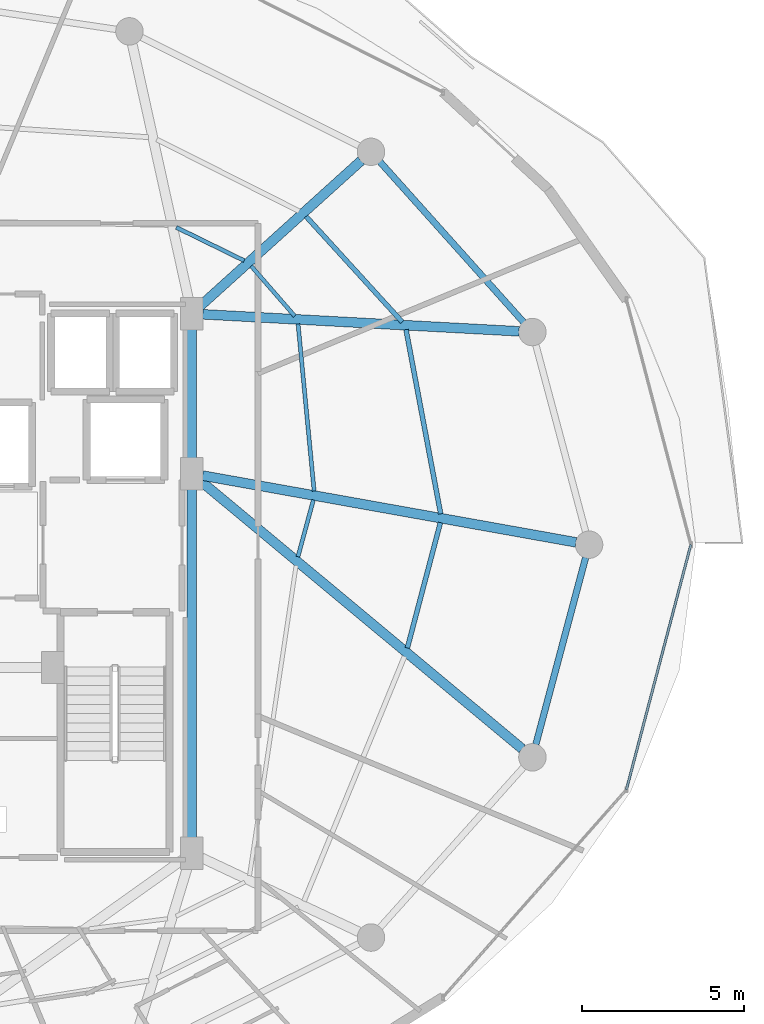
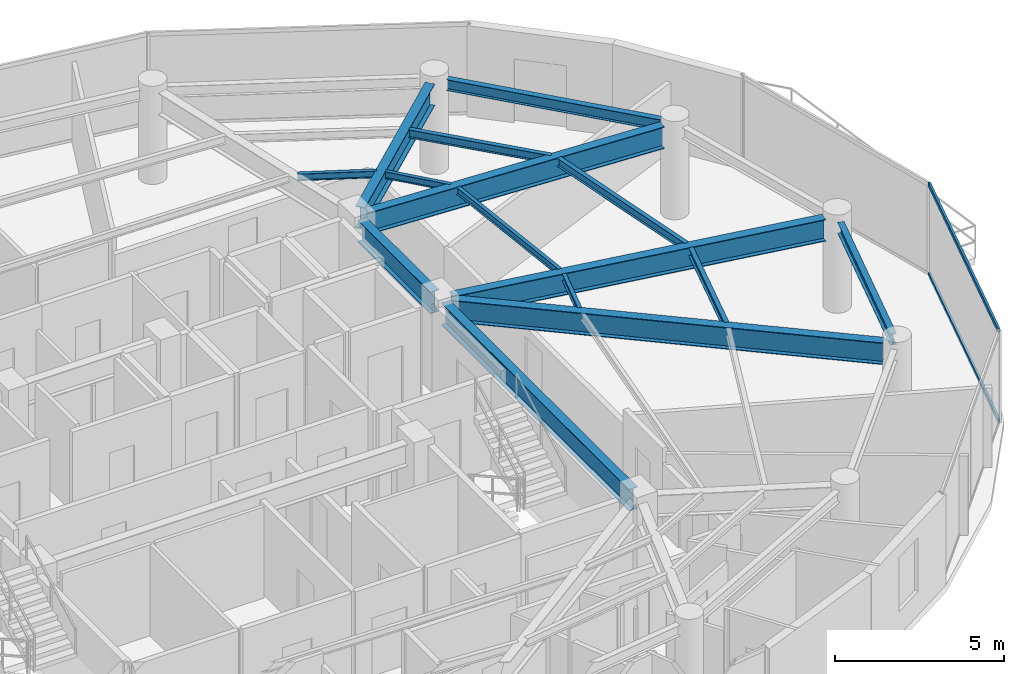
# One storey, part 14 of 31: 15 beams, 2 members, 1 element without a shape of its own.
"""IFC4 building model written with IfcOpenShell, lengths in metres."""

from ifc_helpers import new_model, si_unit, direction, frame, origin, origin_2d, place, context, subcontext, project, spatial, hollow_rectangle, i_section, extrude, material, material_profile, profile_set, type_object, element, aggregate, save


model = new_model("IFC4")

# Units and contexts
model_context = context("Model", 3, precision=1e-05, world=origin(), true_north=direction((0.0, 1.0)))
body_context = subcontext(model_context, "Body", "Model", "MODEL_VIEW")
ifc_project = project(units=[si_unit("LENGTHUNIT", "METRE"), si_unit("AREAUNIT", "SQUARE_METRE"), si_unit("VOLUMEUNIT", "CUBIC_METRE"), si_unit("PLANEANGLEUNIT", "RADIAN"), si_unit("MASSUNIT", "GRAM", prefix="KILO")], contexts=[model_context])

# Site, building, storey
site_placement = place(None, origin())
site = spatial("IfcSite", under=ifc_project, at=site_placement, CompositionType="ELEMENT")
building_placement = place(site_placement, origin())
building = spatial("IfcBuilding", under=site, at=building_placement, Name="Vorneva Point Tower", CompositionType="ELEMENT")
storey_placement = place(building_placement, frame((0.0, 0.0, 248.449951171875)))
storey = spatial("IfcBuildingStorey", under=building, at=storey_placement, Name="L67", CompositionType="ELEMENT", Elevation=248.449951171875)

# Beams
ifc_material_1 = material(Name="Steel S355", Category="steel")
ifc_material_profile_1 = material_profile(ifc_material_1, i_section(OverallWidth=0.300048828125, OverallDepth=0.7880859375, WebThickness=0.014404296875, FlangeThickness=0.02197265625, at=origin_2d()), Name="80Sh1")
ifc_profile_set_1 = profile_set([ifc_material_profile_1], Name="Steel S355")
beam_type_1 = type_object("IfcBeamType", Name="BM-GRD-80Sh1", PredefinedType="USERDEFINED", material=ifc_profile_set_1)
beam_1_placement = place(storey_placement, frame((60.6435546875, 26.07275390625, 2.89599609375), z_axis=(-0.9843788355, 0.17606336422, 0.0), x_axis=(-0.17606336422, -0.9843788355, 0.0)))
element("IfcBeam", 1, at=beam_1_placement, inside=storey, type_object=beam_type_1, Name="L67 Radial Primary Girder 01", ObjectType="GIRDER", PredefinedType="USERDEFINED", context=body_context, shape_type="SweptSolid", body=[
    extrude(i_section(OverallWidth=0.300048828125, OverallDepth=0.7880859375, WebThickness=0.014404296875, FlangeThickness=0.02197265625, at=origin_2d()), origin(), (0.0, 0.0, 1.0), 11.7421875),
])
beam_2_placement = place(storey_placement, frame((58.883056640625, 32.6044921875, 2.89599609375), z_axis=(-0.998554756376, 0.05374382308, 0.0), x_axis=(-0.05374382308, -0.998554756376, 0.0)))
element("IfcBeam", 2, at=beam_2_placement, inside=storey, type_object=beam_type_1, Name="L67 Radial Primary Girder 02", ObjectType="GIRDER", PredefinedType="USERDEFINED", context=body_context, shape_type="SweptSolid", body=[
    extrude(i_section(OverallWidth=0.300048828125, OverallDepth=0.7880859375, WebThickness=0.014404296875, FlangeThickness=0.02197265625, at=origin_2d()), origin(), (0.0, 0.0, 1.0), 9.8076171875),
])
beam_3_placement = place(storey_placement, frame((53.9921875, 37.885498046875, 2.89599609375), z_axis=(-0.7420671051, -0.670325601128, 0.0), x_axis=(0.670325601128, -0.7420671051, 0.0)))
element("IfcBeam", 3, at=beam_3_placement, inside=storey, type_object=beam_type_1, Name="L67 Radial Primary Girder 03", ObjectType="GIRDER", PredefinedType="USERDEFINED", context=body_context, shape_type="SweptSolid", body=[
    extrude(i_section(OverallWidth=0.300048828125, OverallDepth=0.7880859375, WebThickness=0.014404296875, FlangeThickness=0.02197265625, at=origin_2d()), origin(), (0.0, 0.0, 1.0), 6.724365234375),
])
beam_4_placement = place(storey_placement, frame((58.97802734375, 19.68212890625, 2.89599609375), z_axis=(-0.768424898021, 0.639939978515, 0.0), x_axis=(-0.639939978515, -0.768424898021, 0.0)))
element("IfcBeam", 4, at=beam_4_placement, inside=storey, type_object=beam_type_1, Name="L67 Radial Primary Girder 16", ObjectType="GIRDER", PredefinedType="USERDEFINED", context=body_context, shape_type="SweptSolid", body=[
    extrude(i_section(OverallWidth=0.300048828125, OverallDepth=0.7880859375, WebThickness=0.014404296875, FlangeThickness=0.02197265625, at=origin_2d()), origin(), (0.0, 0.0, 1.0), 12.970458984375),
])
beam_5_placement = place(storey_placement, frame((48.75, 16.77001953125, 2.89599609375), z_axis=(0.0, 1.0, 0.0), x_axis=(-1.0, 0.0, 0.0)))
element("IfcBeam", 5, at=beam_5_placement, inside=storey, type_object=beam_type_1, Name="L67 Core Tie Girder CT3", ObjectType="GIRDER", PredefinedType="USERDEFINED", context=body_context, shape_type="SweptSolid", body=[
    extrude(i_section(OverallWidth=0.300048828125, OverallDepth=0.7880859375, WebThickness=0.014404296875, FlangeThickness=0.02197265625, at=origin_2d()), origin(), (0.0, 0.0, 1.0), 11.10986328125),
])
beam_6_placement = place(storey_placement, frame((48.75, 28.52001953125, 2.89599609375), z_axis=(0.0, 1.0, 0.0), x_axis=(-1.0, 0.0, 0.0)))
element("IfcBeam", 6, at=beam_6_placement, inside=storey, type_object=beam_type_1, Name="L67 Core Tie Girder CT4", ObjectType="GIRDER", PredefinedType="USERDEFINED", context=body_context, shape_type="SweptSolid", body=[
    extrude(i_section(OverallWidth=0.300048828125, OverallDepth=0.7880859375, WebThickness=0.014404296875, FlangeThickness=0.02197265625, at=origin_2d()), origin(), (0.0, 0.0, 1.0), 4.31005859375),
])
ifc_material_profile_2 = material_profile(ifc_material_1, i_section(OverallWidth=0.1240234375, OverallDepth=0.248046875, WebThickness=0.0048828125, FlangeThickness=0.008056640625, at=origin_2d()), Name="25B1")
ifc_profile_set_2 = profile_set([ifc_material_profile_2], Name="Steel S355")
beam_type_2 = type_object("IfcBeamType", Name="BM-JST-25B1", PredefinedType="JOIST", material=ifc_profile_set_2)
beam_7_placement = place(storey_placement, frame((52.5390625, 27.6572265625, 3.166015625), z_axis=(-0.095772312645, 0.995403267089, 0.0), x_axis=(-0.995403267089, -0.095772312645, 0.0)))
element("IfcBeam", 7, at=beam_7_placement, inside=storey, type_object=beam_type_2, Name="L67 Secondary Floor Beam 2.01", PredefinedType="JOIST", context=body_context, shape_type="SweptSolid", body=[
    extrude(i_section(OverallWidth=0.1240234375, OverallDepth=0.248046875, WebThickness=0.0048828125, FlangeThickness=0.008056640625, at=origin_2d()), origin(), (0.0, 0.0, 1.0), 5.202880859375),
])
beam_8_placement = place(storey_placement, frame((51.93701171875, 33.07763671875, 3.166015625), z_axis=(-0.656396623312, 0.754415981342, 0.0), x_axis=(-0.754415981342, -0.656396623312, 0.0)))
element("IfcBeam", 8, at=beam_8_placement, inside=storey, type_object=beam_type_2, Name="L67 Secondary Floor Beam 2.02", PredefinedType="JOIST", context=body_context, shape_type="SweptSolid", body=[
    extrude(i_section(OverallWidth=0.1240234375, OverallDepth=0.248046875, WebThickness=0.0048828125, FlangeThickness=0.008056640625, at=origin_2d()), origin(), (0.0, 0.0, 1.0), 2.052490234375),
])
beam_9_placement = place(storey_placement, frame((50.37548828125, 34.791015625, 3.166015625), z_axis=(-0.897898931546, 0.440201668249, 0.0), x_axis=(-0.440201668249, -0.897898931546, 0.0)))
element("IfcBeam", 9, at=beam_9_placement, inside=storey, type_object=beam_type_2, Name="L67 Secondary Floor Beam 2.03", PredefinedType="JOIST", context=body_context, shape_type="SweptSolid", body=[
    extrude(i_section(OverallWidth=0.1240234375, OverallDepth=0.248046875, WebThickness=0.0048828125, FlangeThickness=0.008056640625, at=origin_2d()), origin(), (0.0, 0.0, 1.0), 2.34423828125),
])
beam_10_placement = place(storey_placement, frame((52.03759765625, 25.62548828125, 3.166015625), z_axis=(0.262189126288, 0.965016508696, 0.0), x_axis=(-0.965016508696, 0.262189126288, 0.0)))
element("IfcBeam", 10, at=beam_10_placement, inside=storey, type_object=beam_type_2, Name="L67 Secondary Floor Beam 2.16", PredefinedType="JOIST", context=body_context, shape_type="SweptSolid", body=[
    extrude(i_section(OverallWidth=0.1240234375, OverallDepth=0.248046875, WebThickness=0.0048828125, FlangeThickness=0.008056640625, at=origin_2d()), origin(), (0.0, 0.0, 1.0), 1.8251953125),
])
ifc_material_profile_3 = material_profile(ifc_material_1, i_section(OverallWidth=0.14892578125, OverallDepth=0.298095703125, WebThickness=0.005615234375, FlangeThickness=0.008056640625, at=origin_2d()), Name="30B1")
ifc_profile_set_3 = profile_set([ifc_material_profile_3], Name="Steel S355")
beam_type_3 = type_object("IfcBeamType", Name="BM-JST-30B1", PredefinedType="JOIST", material=ifc_profile_set_3)
beam_11_placement = place(storey_placement, frame((56.456787109375, 26.95263671875, 3.14111328125), z_axis=(-0.184968874114, 0.982744379587, 0.0), x_axis=(-0.982744379587, -0.184968874114, 0.0)))
element("IfcBeam", 11, at=beam_11_placement, inside=storey, type_object=beam_type_3, Name="L67 Secondary Floor Beam 1.01", PredefinedType="JOIST", context=body_context, shape_type="SweptSolid", body=[
    extrude(i_section(OverallWidth=0.14892578125, OverallDepth=0.298095703125, WebThickness=0.005615234375, FlangeThickness=0.008056640625, at=origin_2d()), origin(), (0.0, 0.0, 1.0), 5.80615234375),
])
beam_12_placement = place(storey_placement, frame((55.264404296875, 32.896240234375, 3.14111328125), z_axis=(-0.673657092993, 0.739044058944, 0.0), x_axis=(-0.739044058944, -0.673657092993, 0.0)))
element("IfcBeam", 12, at=beam_12_placement, inside=storey, type_object=beam_type_3, Name="L67 Secondary Floor Beam 1.02", PredefinedType="JOIST", context=body_context, shape_type="SweptSolid", body=[
    extrude(i_section(OverallWidth=0.14892578125, OverallDepth=0.298095703125, WebThickness=0.005615234375, FlangeThickness=0.008056640625, at=origin_2d()), origin(), (0.0, 0.0, 1.0), 4.4169921875),
])
beam_13_placement = place(storey_placement, frame((55.425048828125, 22.8037109375, 3.14111328125), z_axis=(0.254771835219, 0.967001195438, 0.0), x_axis=(-0.967001195438, 0.254771835219, 0.0)))
element("IfcBeam", 13, at=beam_13_placement, inside=storey, type_object=beam_type_3, Name="L67 Secondary Floor Beam 1.16", PredefinedType="JOIST", context=body_context, shape_type="SweptSolid", body=[
    extrude(i_section(OverallWidth=0.14892578125, OverallDepth=0.298095703125, WebThickness=0.005615234375, FlangeThickness=0.008056640625, at=origin_2d()), origin(), (0.0, 0.0, 1.0), 4.01220703125),
])
ifc_material_profile_4 = material_profile(ifc_material_1, i_section(OverallWidth=0.198974609375, OverallDepth=0.39599609375, WebThickness=0.007080078125, FlangeThickness=0.010986328125, at=origin_2d()), Name="40B1")
ifc_profile_set_4 = profile_set([ifc_material_profile_4], Name="Steel S355")
beam_type_4 = type_object("IfcBeamType", Name="BM-SPN-40B1", PredefinedType="SPANDREL", material=ifc_profile_set_4)
beam_14_placement = place(storey_placement, frame((59.02197265625, 32.8876953125, 3.092041015625), z_axis=(-0.667108282638, 0.744960763554, 0.0), x_axis=(-0.744960763554, -0.667108282638, 0.0)))
element("IfcBeam", 14, at=beam_14_placement, inside=storey, type_object=beam_type_4, Name="L67 Perimeter Spandrel Ring Beam 02", PredefinedType="SPANDREL", context=body_context, shape_type="SweptSolid", body=[
    extrude(i_section(OverallWidth=0.198974609375, OverallDepth=0.39599609375, WebThickness=0.007080078125, FlangeThickness=0.010986328125, at=origin_2d()), origin(), (0.0, 0.0, 1.0), 6.670166015625),
])
beam_15_placement = place(storey_placement, frame((59.40087890625, 19.81396484375, 3.092041015625), z_axis=(0.257586570866, 0.966255224312, 0.0), x_axis=(-0.966255224312, 0.257586570866, 0.0)))
element("IfcBeam", 15, at=beam_15_placement, inside=storey, type_object=beam_type_4, Name="L67 Perimeter Spandrel Ring Beam 16", PredefinedType="SPANDREL", context=body_context, shape_type="SweptSolid", body=[
    extrude(i_section(OverallWidth=0.198974609375, OverallDepth=0.39599609375, WebThickness=0.007080078125, FlangeThickness=0.010986328125, at=origin_2d()), origin(), (0.0, 0.0, 1.0), 5.991943359375),
])

# Curtain wall, members
ifc_material_2 = material(Name="Pale anodised aluminium", Category="aluminium")
curtain_wall_type = type_object("IfcCurtainWallType", Name="CW-RES-SYS", PredefinedType="NOTDEFINED", material=ifc_material_2)
curtain_wall_placement = place(storey_placement, origin())
curtain_wall = element("IfcCurtainWall", 16, at=curtain_wall_placement, inside=storey, type_object=curtain_wall_type, Name="L67 Unitised Curtain Wall CW-L67-R01", PredefinedType="NOTDEFINED")
ifc_material_profile_5 = material_profile(ifc_material_2, hollow_rectangle(XDim=0.074951171875, YDim=0.14990234375, WallThickness=0.00390625, at=origin_2d()), Name="AL-TRN 150x75x4")
ifc_profile_set_5 = profile_set([ifc_material_profile_5], Name="Pale anodised aluminium")
member_type = type_object("IfcMemberType", Name="CW-TRN-150", PredefinedType="USERDEFINED", material=ifc_profile_set_5)
member_1_placement = place(storey_placement, frame((62.20556640625, 18.4189453125, 0.02001953125), z_axis=(0.254418180926, 0.967094302131, 0.0), x_axis=(-0.967094302131, 0.254418180926, 0.0)))
member_1 = element("IfcMember", 17, at=member_1_placement, type_object=member_type, Name="CW-L67-R01 Transom 02.1", ObjectType="TRANSOM", PredefinedType="USERDEFINED", context=body_context, shape_type="SweptSolid", body=[
    extrude(hollow_rectangle(XDim=0.074951171875, YDim=0.14990234375, WallThickness=0.00390625, at=origin_2d()), origin(), (0.0, 0.0, 1.0), 7.839111328125),
])
member_2_placement = place(storey_placement, frame((62.20556640625, 18.4189453125, 3.27001953125), z_axis=(0.254418180926, 0.967094302131, 0.0), x_axis=(-0.967094302131, 0.254418180926, 0.0)))
member_2 = element("IfcMember", 18, at=member_2_placement, type_object=member_type, Name="CW-L67-R01 Transom 02.2", ObjectType="TRANSOM", PredefinedType="USERDEFINED", context=body_context, shape_type="SweptSolid", body=[
    extrude(hollow_rectangle(XDim=0.074951171875, YDim=0.14990234375, WallThickness=0.00390625, at=origin_2d()), origin(), (0.0, 0.0, 1.0), 7.839111328125),
])
aggregate(curtain_wall, [member_1, member_2])

save(model, "model.ifc")
